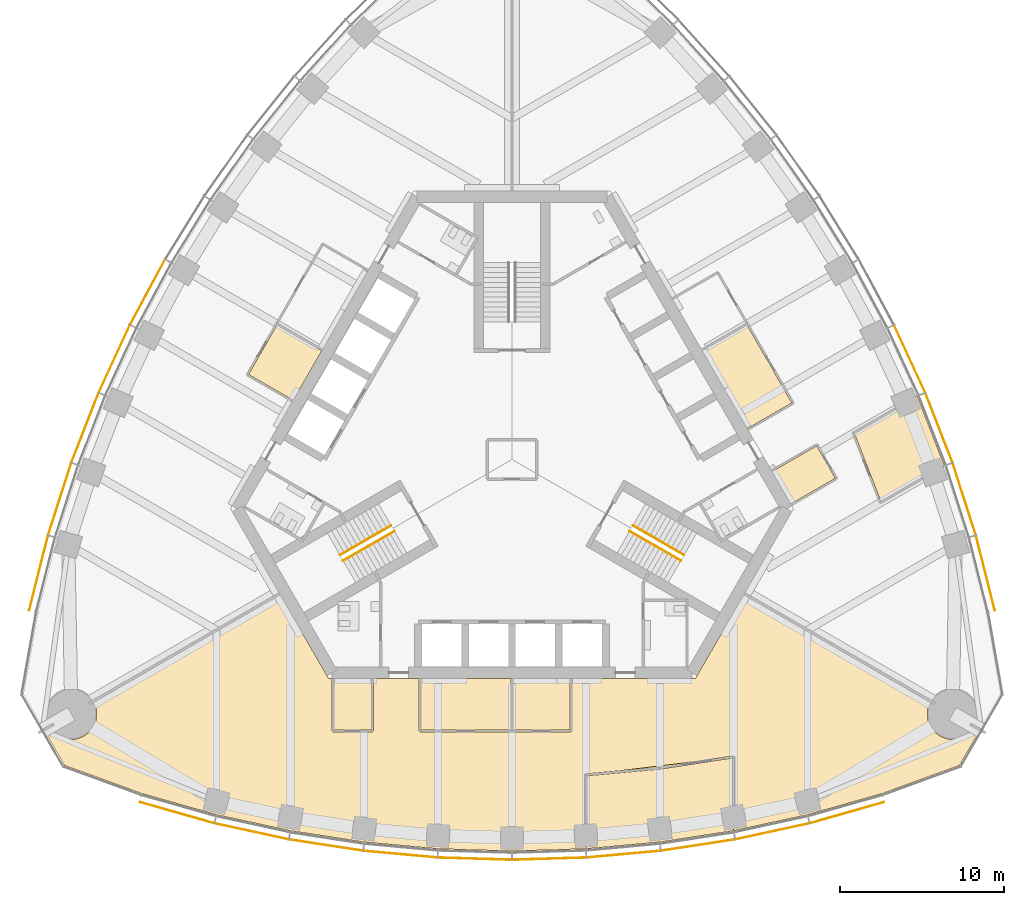
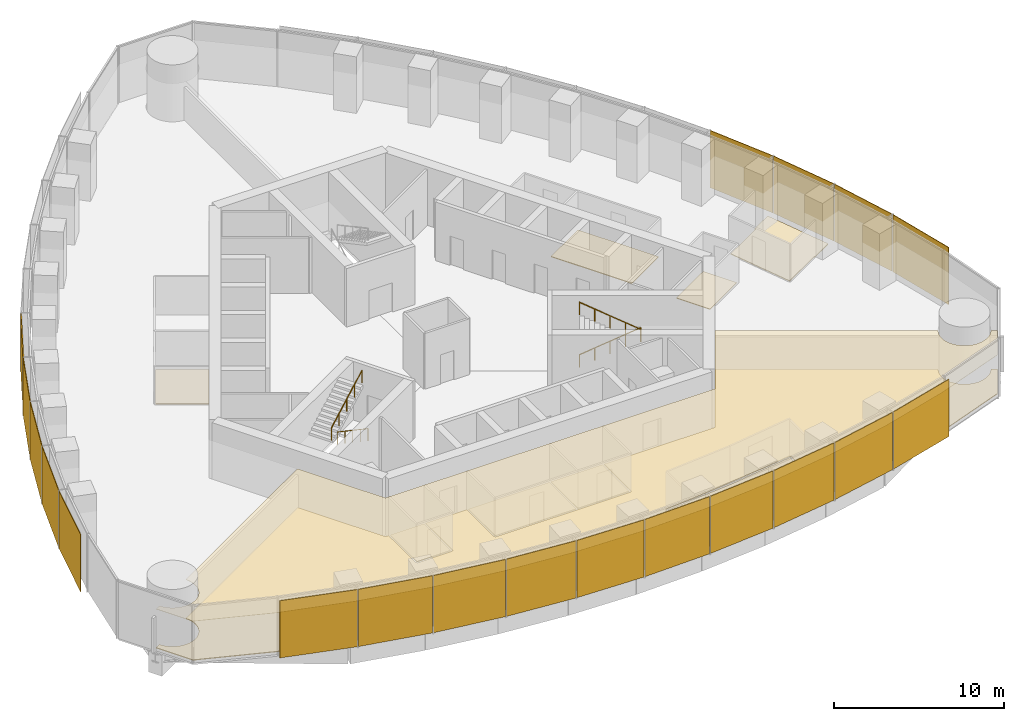
# One storey, part 11 of 14: 19 shading devices, 10 coverings, 4 railings.
"""IFC4 building model written with IfcOpenShell, lengths in metres."""

from ifc_helpers import new_model, si_unit, direction, frame, origin, origin_2d, place, context, subcontext, project, spatial, polyline, rectangle, circle, outline, extrude, material, layer, layer_set, type_object, element, save


model = new_model("IFC4")

# Units and contexts
model_context = context("Model", 3, precision=1e-05, world=origin(), true_north=direction((0.0, 1.0)))
body_context = subcontext(model_context, "Body", "Model", "MODEL_VIEW")
ifc_project = project(units=[si_unit("LENGTHUNIT", "METRE"), si_unit("AREAUNIT", "SQUARE_METRE"), si_unit("VOLUMEUNIT", "CUBIC_METRE"), si_unit("PLANEANGLEUNIT", "RADIAN"), si_unit("MASSUNIT", "GRAM", prefix="KILO")], contexts=[model_context])

# Site, building, storey
site_placement = place(None, origin())
site = spatial("IfcSite", under=ifc_project, at=site_placement, CompositionType="ELEMENT")
building_placement = place(site_placement, origin())
building = spatial("IfcBuilding", under=site, at=building_placement, Name="Trefoil Bronze Tower", CompositionType="ELEMENT")
storey_placement = place(building_placement, frame((0.0, 0.0, 280.5)))
storey = spatial("IfcBuildingStorey", under=building, at=storey_placement, Name="L64", CompositionType="ELEMENT", Elevation=280.5)

# Shading devices
ifc_material_1 = material(Name="Perforated bronze sheet", Category="bronze")
ifc_layer_1 = layer(ifc_material_1, 0.0400390625)
ifc_layer_set_1 = layer_set([ifc_layer_1], Name="Bronze solar screen panel")
shading_device_type = type_object("IfcShadingDeviceType", Name="Bronze solar screen panel", PredefinedType="SHUTTER", material=ifc_layer_set_1)
shading_device_1_placement = place(storey_placement, frame((-20.42138671875, -21.515625, 0.050048828125), z_axis=(0.0, 0.0, 1.0), x_axis=(0.962097746943, -0.272704831875, 0.0)))
element("IfcShadingDevice", 1, at=shading_device_1_placement, inside=storey, type_object=shading_device_type, Name="Solar screen CW-A L64 F1 bay 1", PredefinedType="SHUTTER", context=body_context, shape_type="SweptSolid", body=[
    extrude(rectangle(XDim=4.697509765625, YDim=0.0400390625, at=origin_2d()), origin(), (0.0, 0.0, 1.0), 4.10009765625),
])
shading_device_2_placement = place(storey_placement, frame((-15.864501953125, -22.65625, 0.050048828125), z_axis=(0.0, 0.0, 1.0), x_axis=(0.977303138829, -0.211845639168, 0.0)))
element("IfcShadingDevice", 2, at=shading_device_2_placement, inside=storey, type_object=shading_device_type, Name="Solar screen CW-A L64 F1 bay 2", PredefinedType="SHUTTER", context=body_context, shape_type="SweptSolid", body=[
    extrude(rectangle(XDim=4.574462890625, YDim=0.0400390625, at=origin_2d()), origin(), (0.0, 0.0, 1.0), 4.10009765625),
])
shading_device_3_placement = place(storey_placement, frame((-11.331787109375, -23.494384765625, 0.050048828125), z_axis=(0.0, 0.0, 1.0), x_axis=(0.988485337216, -0.151316681529, 0.0)))
element("IfcShadingDevice", 3, at=shading_device_3_placement, inside=storey, type_object=shading_device_type, Name="Solar screen CW-A L64 F1 bay 3", PredefinedType="SHUTTER", context=body_context, shape_type="SweptSolid", body=[
    extrude(rectangle(XDim=4.5224609375, YDim=0.0400390625, at=origin_2d()), origin(), (0.0, 0.0, 1.0), 4.10009765625),
])
shading_device_4_placement = place(storey_placement, frame((-6.799072265625, -24.048095703125, 0.050048828125), z_axis=(0.0, 0.0, 1.0), x_axis=(0.99587011625, -0.090789380212, 0.0)))
element("IfcShadingDevice", 4, at=shading_device_4_placement, inside=storey, type_object=shading_device_type, Name="Solar screen CW-A L64 F1 bay 4", PredefinedType="SHUTTER", context=body_context, shape_type="SweptSolid", body=[
    extrude(rectangle(XDim=4.48876953125, YDim=0.0400390625, at=origin_2d()), origin(), (0.0, 0.0, 1.0), 4.10009765625),
])
for number, where, z_axis, x_axis, name in (
    (5, (-2.266357421875, -24.3232421875, 0.050048828125), (0.0, 0.0, 1.0), (0.999541969785, -0.030263024264, 0.0), "Solar screen CW-A L64 F1 bay 5"),
    (6, (2.266357421875, -24.3232421875, 0.050048828125), (0.0, 0.0, 1.0), (0.999541969785, 0.030263024264, 0.0), "Solar screen CW-A L64 F1 bay 6"),
):
    element("IfcShadingDevice", number, at=place(storey_placement, frame(where, z_axis=z_axis, x_axis=x_axis)), inside=storey, type_object=shading_device_type, Name=name, PredefinedType="SHUTTER", context=body_context, shape_type="SweptSolid", body=[
        extrude(rectangle(XDim=4.47216796875, YDim=0.0400390625, at=origin_2d()), origin(), (0.0, 0.0, 1.0), 4.10009765625),
    ])
shading_device_5_placement = place(storey_placement, frame((6.799072265625, -24.048095703125, 0.050048828125), z_axis=(0.0, 0.0, 1.0), x_axis=(0.99587011625, 0.090789380212, 0.0)))
element("IfcShadingDevice", 7, at=shading_device_5_placement, inside=storey, type_object=shading_device_type, Name="Solar screen CW-A L64 F1 bay 7", PredefinedType="SHUTTER", context=body_context, shape_type="SweptSolid", body=[
    extrude(rectangle(XDim=4.48876953125, YDim=0.0400390625, at=origin_2d()), origin(), (0.0, 0.0, 1.0), 4.10009765625),
])
shading_device_6_placement = place(storey_placement, frame((11.331787109375, -23.494384765625, 0.050048828125), z_axis=(0.0, 0.0, 1.0), x_axis=(0.988485337216, 0.151316681529, 0.0)))
element("IfcShadingDevice", 8, at=shading_device_6_placement, inside=storey, type_object=shading_device_type, Name="Solar screen CW-A L64 F1 bay 8", PredefinedType="SHUTTER", context=body_context, shape_type="SweptSolid", body=[
    extrude(rectangle(XDim=4.5224609375, YDim=0.0400390625, at=origin_2d()), origin(), (0.0, 0.0, 1.0), 4.10009765625),
])
shading_device_7_placement = place(storey_placement, frame((15.864501953125, -22.65625, 0.050048828125), z_axis=(0.0, 0.0, 1.0), x_axis=(0.977303138829, 0.211845639168, 0.0)))
element("IfcShadingDevice", 9, at=shading_device_7_placement, inside=storey, type_object=shading_device_type, Name="Solar screen CW-A L64 F1 bay 9", PredefinedType="SHUTTER", context=body_context, shape_type="SweptSolid", body=[
    extrude(rectangle(XDim=4.574462890625, YDim=0.0400390625, at=origin_2d()), origin(), (0.0, 0.0, 1.0), 4.10009765625),
])
for number, where, z_axis, x_axis, name in (
    (10, (20.42138671875, -21.515625, 0.050048828125), (0.0, 0.0, 1.0), (0.962097746943, 0.272704831875, 0.0), "Solar screen CW-A L64 F1 bay 10"),
    (11, (28.843994140625, -6.927490234375, 0.050048828125), (0.0, 0.0, 1.0), (-0.244879561333, 0.969553505713, 0.0), "Solar screen CW-A L64 F2 bay 1"),
):
    element("IfcShadingDevice", number, at=place(storey_placement, frame(where, z_axis=z_axis, x_axis=x_axis)), inside=storey, type_object=shading_device_type, Name=name, PredefinedType="SHUTTER", context=body_context, shape_type="SweptSolid", body=[
        extrude(rectangle(XDim=4.697509765625, YDim=0.0400390625, at=origin_2d()), origin(), (0.0, 0.0, 1.0), 4.10009765625),
    ])
shading_device_8_placement = place(storey_placement, frame((27.55322265625, -2.410888671875, 0.050048828125), z_axis=(0.0, 0.0, 1.0), x_axis=(-0.305187864214, 0.952292165009, 0.0)))
element("IfcShadingDevice", 12, at=shading_device_8_placement, inside=storey, type_object=shading_device_type, Name="Solar screen CW-A L64 F2 bay 2", PredefinedType="SHUTTER", context=body_context, shape_type="SweptSolid", body=[
    extrude(rectangle(XDim=4.574462890625, YDim=0.0400390625, at=origin_2d()), origin(), (0.0, 0.0, 1.0), 4.10009765625),
])
shading_device_9_placement = place(storey_placement, frame((26.0126953125, 1.93359375, 0.050048828125), z_axis=(0.0, 0.0, 1.0), x_axis=(-0.363198578387, 0.931711754062, 0.0)))
element("IfcShadingDevice", 13, at=shading_device_9_placement, inside=storey, type_object=shading_device_type, Name="Solar screen CW-A L64 F2 bay 3", PredefinedType="SHUTTER", context=body_context, shape_type="SweptSolid", body=[
    extrude(rectangle(XDim=4.5224609375, YDim=0.0400390625, at=origin_2d()), origin(), (0.0, 0.0, 1.0), 4.10009765625),
])
shading_device_10_placement = place(storey_placement, frame((24.2255859375, 6.135986328125, 0.050048828125), z_axis=(0.0, 0.0, 1.0), x_axis=(-0.419309148468, 0.907843509649, 0.0)))
element("IfcShadingDevice", 14, at=shading_device_10_placement, inside=storey, type_object=shading_device_type, Name="Solar screen CW-A L64 F2 bay 4", PredefinedType="SHUTTER", context=body_context, shape_type="SweptSolid", body=[
    extrude(rectangle(XDim=4.48876953125, YDim=0.0400390625, at=origin_2d()), origin(), (0.0, 0.0, 1.0), 4.10009765625),
])
shading_device_11_placement = place(storey_placement, frame((-22.19775390625, 10.198974609375, 0.050048828125), z_axis=(0.0, 0.0, 1.0), x_axis=(-0.473562437085, -0.880760250115, 0.0)))
element("IfcShadingDevice", 15, at=shading_device_11_placement, inside=storey, type_object=shading_device_type, Name="Solar screen CW-A L64 F3 bay 6", PredefinedType="SHUTTER", context=body_context, shape_type="SweptSolid", body=[
    extrude(rectangle(XDim=4.47216796875, YDim=0.0400390625, at=origin_2d()), origin(), (0.0, 0.0, 1.0), 4.10009765625),
])
shading_device_12_placement = place(storey_placement, frame((-24.2255859375, 6.135986328125, 0.050048828125), z_axis=(0.0, 0.0, 1.0), x_axis=(-0.419309148468, -0.907843509649, 0.0)))
element("IfcShadingDevice", 16, at=shading_device_12_placement, inside=storey, type_object=shading_device_type, Name="Solar screen CW-A L64 F3 bay 7", PredefinedType="SHUTTER", context=body_context, shape_type="SweptSolid", body=[
    extrude(rectangle(XDim=4.48876953125, YDim=0.0400390625, at=origin_2d()), origin(), (0.0, 0.0, 1.0), 4.10009765625),
])
shading_device_13_placement = place(storey_placement, frame((-26.0126953125, 1.93359375, 0.050048828125), z_axis=(0.0, 0.0, 1.0), x_axis=(-0.363198578387, -0.931711754062, 0.0)))
element("IfcShadingDevice", 17, at=shading_device_13_placement, inside=storey, type_object=shading_device_type, Name="Solar screen CW-A L64 F3 bay 8", PredefinedType="SHUTTER", context=body_context, shape_type="SweptSolid", body=[
    extrude(rectangle(XDim=4.5224609375, YDim=0.0400390625, at=origin_2d()), origin(), (0.0, 0.0, 1.0), 4.10009765625),
])
shading_device_14_placement = place(storey_placement, frame((-27.55322265625, -2.410888671875, 0.050048828125), z_axis=(0.0, 0.0, 1.0), x_axis=(-0.305187864214, -0.952292165009, 0.0)))
element("IfcShadingDevice", 18, at=shading_device_14_placement, inside=storey, type_object=shading_device_type, Name="Solar screen CW-A L64 F3 bay 9", PredefinedType="SHUTTER", context=body_context, shape_type="SweptSolid", body=[
    extrude(rectangle(XDim=4.574462890625, YDim=0.0400390625, at=origin_2d()), origin(), (0.0, 0.0, 1.0), 4.10009765625),
])
shading_device_15_placement = place(storey_placement, frame((-28.843994140625, -6.927490234375, 0.050048828125), z_axis=(0.0, 0.0, 1.0), x_axis=(-0.244879561333, -0.969553505713, 0.0)))
element("IfcShadingDevice", 19, at=shading_device_15_placement, inside=storey, type_object=shading_device_type, Name="Solar screen CW-A L64 F3 bay 10", PredefinedType="SHUTTER", context=body_context, shape_type="SweptSolid", body=[
    extrude(rectangle(XDim=4.697509765625, YDim=0.0400390625, at=origin_2d()), origin(), (0.0, 0.0, 1.0), 4.10009765625),
])

# Railings
ifc_material_2 = material(Name="Steel handrail", Category="steel")
railing_type = type_object("IfcRailingType", Name="Handrail 900", PredefinedType="HANDRAIL", material=ifc_material_2)
railing_1_placement = place(storey_placement, frame((7.365966796875, -4.021728515625, 0.16162109375)))
element("IfcRailing", 20, at=railing_1_placement, inside=storey, type_object=railing_type, Name="Handrail ST1 flight 1 L64", PredefinedType="HANDRAIL", context=body_context, shape_type="SweptSolid", body=[
    extrude(circle(Radius=0.02392578125, at=origin_2d()), frame((0.0, 0.0, 0.8759765625), z_axis=(0.76250339821, -0.440245697338, 0.474101564745), x_axis=(0.500012057535, 0.866018442252, 0.0)), (0.0, 0.0, 1.0), 4.088623046875),
    extrude(circle(Radius=0.02099609375, at=origin_2d()), origin(), (0.0, 0.0, 1.0), 0.851806640625),
    extrude(circle(Radius=0.02099609375, at=origin_2d()), frame((0.779296875, -0.449951171875, 0.484619140625)), (0.0, 0.0, 1.0), 0.851806640625),
    extrude(circle(Radius=0.02099609375, at=origin_2d()), frame((1.558837890625, -0.89990234375, 0.96923828125)), (0.0, 0.0, 1.0), 0.851806640625),
    extrude(circle(Radius=0.02099609375, at=origin_2d()), frame((2.33837890625, -1.35009765625, 1.453857421875)), (0.0, 0.0, 1.0), 0.851806640625),
    extrude(circle(Radius=0.02099609375, at=origin_2d()), frame((3.11767578125, -1.800048828125, 1.9384765625)), (0.0, 0.0, 1.0), 0.851806640625),
])
railing_2_placement = place(storey_placement, frame((10.28369140625, -6.168212890625, 2.261474609375)))
element("IfcRailing", 21, at=railing_2_placement, inside=storey, type_object=railing_type, Name="Handrail ST1 flight 2 L64", PredefinedType="HANDRAIL", context=body_context, shape_type="SweptSolid", body=[
    extrude(circle(Radius=0.02392578125, at=origin_2d()), frame((0.0, 0.0, 0.8759765625), z_axis=(-0.76250339821, 0.440245697338, 0.474101564745), x_axis=(-0.500012057535, -0.866018442252, 0.0)), (0.0, 0.0, 1.0), 4.088623046875),
    extrude(circle(Radius=0.02099609375, at=origin_2d()), origin(), (0.0, 0.0, 1.0), 0.851806640625),
    extrude(circle(Radius=0.02099609375, at=origin_2d()), frame((-0.779296875, 0.449951171875, 0.484619140625)), (0.0, 0.0, 1.0), 0.851806640625),
    extrude(circle(Radius=0.02099609375, at=origin_2d()), frame((-1.558837890625, 0.89990234375, 0.96923828125)), (0.0, 0.0, 1.0), 0.851806640625),
    extrude(circle(Radius=0.02099609375, at=origin_2d()), frame((-2.33837890625, 1.35009765625, 1.453857421875)), (0.0, 0.0, 1.0), 0.851806640625),
    extrude(circle(Radius=0.02099609375, at=origin_2d()), frame((-3.11767578125, 1.800048828125, 1.9384765625)), (0.0, 0.0, 1.0), 0.851806640625),
])
railing_3_placement = place(storey_placement, frame((-7.166015625, -4.3681640625, 0.16162109375)))
element("IfcRailing", 22, at=railing_3_placement, inside=storey, type_object=railing_type, Name="Handrail ST3 flight 1 L64", PredefinedType="HANDRAIL", context=body_context, shape_type="SweptSolid", body=[
    extrude(circle(Radius=0.02392578125, at=origin_2d()), frame((0.0, 0.0, 0.8759765625), z_axis=(-0.76250339821, -0.440245697338, 0.474101564745), x_axis=(0.500012057535, -0.866018442252, 0.0)), (0.0, 0.0, 1.0), 4.088623046875),
    extrude(circle(Radius=0.02099609375, at=origin_2d()), origin(), (0.0, 0.0, 1.0), 0.851806640625),
    extrude(circle(Radius=0.02099609375, at=origin_2d()), frame((-0.779296875, -0.449951171875, 0.484619140625)), (0.0, 0.0, 1.0), 0.851806640625),
    extrude(circle(Radius=0.02099609375, at=origin_2d()), frame((-1.558837890625, -0.89990234375, 0.96923828125)), (0.0, 0.0, 1.0), 0.851806640625),
    extrude(circle(Radius=0.02099609375, at=origin_2d()), frame((-2.33837890625, -1.35009765625, 1.453857421875)), (0.0, 0.0, 1.0), 0.851806640625),
    extrude(circle(Radius=0.02099609375, at=origin_2d()), frame((-3.11767578125, -1.800048828125, 1.9384765625)), (0.0, 0.0, 1.0), 0.851806640625),
])
railing_4_placement = place(storey_placement, frame((-10.483642578125, -5.82177734375, 2.261474609375)))
element("IfcRailing", 23, at=railing_4_placement, inside=storey, type_object=railing_type, Name="Handrail ST3 flight 2 L64", PredefinedType="HANDRAIL", context=body_context, shape_type="SweptSolid", body=[
    extrude(circle(Radius=0.02392578125, at=origin_2d()), frame((0.0, 0.0, 0.8759765625), z_axis=(0.76250339821, 0.440245697338, 0.474101564745), x_axis=(-0.500012057535, 0.866018442252, 0.0)), (0.0, 0.0, 1.0), 4.088623046875),
    extrude(circle(Radius=0.02099609375, at=origin_2d()), origin(), (0.0, 0.0, 1.0), 0.851806640625),
    extrude(circle(Radius=0.02099609375, at=origin_2d()), frame((0.779296875, 0.449951171875, 0.484619140625)), (0.0, 0.0, 1.0), 0.851806640625),
    extrude(circle(Radius=0.02099609375, at=origin_2d()), frame((1.558837890625, 0.89990234375, 0.96923828125)), (0.0, 0.0, 1.0), 0.851806640625),
    extrude(circle(Radius=0.02099609375, at=origin_2d()), frame((2.33837890625, 1.35009765625, 1.453857421875)), (0.0, 0.0, 1.0), 0.851806640625),
    extrude(circle(Radius=0.02099609375, at=origin_2d()), frame((3.11767578125, 1.800048828125, 1.9384765625)), (0.0, 0.0, 1.0), 0.851806640625),
])

# Coverings
ifc_material_3 = material(Name="Acoustic ceiling panels", Category="mineral fibre")
ifc_layer_2 = layer(ifc_material_3, 0.02001953125)
ifc_layer_set_2 = layer_set([ifc_layer_2], Name="Office ceiling 20")
covering_type_1 = type_object("IfcCoveringType", Name="Office ceiling 20", PredefinedType="CEILING", material=ifc_layer_set_2)
covering_1_placement = place(storey_placement, frame((0.0, 0.0, 2.89990234375)))
element("IfcCovering", 24, at=covering_1_placement, inside=storey, type_object=covering_type_1, Name="Ceiling L64 Open-plan office F1", PredefinedType="CEILING", context=body_context, shape_type="SweptSolid", body=[
    extrude(outline(polyline([(-28.135498046875, -16.361083984375), (-28.091796875, -16.42333984375), (-28.044921875, -16.4833984375), (-27.995361328125, -16.541015625), (-27.94287109375, -16.595947265625), (-27.8876953125, -16.6484375), (-27.830078125, -16.6982421875), (-27.77001953125, -16.7451171875), (-27.7080078125, -16.788818359375), (-27.6435546875, -16.82958984375), (-27.577392578125, -16.866943359375), (-27.509521484375, -16.901123046875), (-27.43994140625, -16.931884765625), (-27.368896484375, -16.95947265625), (-27.296630859375, -16.9833984375), (-27.223388671875, -17.00341796875), (-27.149169921875, -17.020263671875), (-27.07421875, -17.033203125), (-26.998779296875, -17.04248046875), (-26.9228515625, -17.048095703125), (-26.8466796875, -17.050048828125), (-26.770751953125, -17.048095703125), (-26.69482421875, -17.04248046875), (-26.619384765625, -17.033203125), (-26.54443359375, -17.020263671875), (-26.47021484375, -17.00341796875), (-26.396728515625, -16.9833984375), (-26.32470703125, -16.95947265625), (-26.253662109375, -16.931884765625), (-26.18408203125, -16.901123046875), (-26.1162109375, -16.866943359375), (-26.0498046875, -16.82958984375), (-25.985595703125, -16.788818359375), (-25.923583984375, -16.7451171875), (-25.863525390625, -16.6982421875), (-25.805908203125, -16.6484375), (-25.750732421875, -16.595947265625), (-25.6982421875, -16.541015625), (-25.648681640625, -16.4833984375), (-25.601806640625, -16.42333984375), (-25.55810546875, -16.361083984375), (-25.517333984375, -16.296875), (-25.479736328125, -16.230712890625), (-25.445556640625, -16.16259765625), (-25.414794921875, -16.09326171875), (-25.387451171875, -16.022216796875), (-25.363525390625, -15.949951171875), (-25.34326171875, -15.876708984375), (-25.32666015625, -15.802490234375), (-25.313720703125, -15.727294921875), (-25.30419921875, -15.65185546875), (-25.298583984375, -15.576171875), (-25.296875, -15.5), (-25.298583984375, -15.423828125), (-25.30419921875, -15.34814453125), (-25.313720703125, -15.272705078125), (-25.32666015625, -15.197509765625), (-25.34326171875, -15.123291015625), (-25.363525390625, -15.050048828125), (-25.387451171875, -14.977783203125), (-25.414794921875, -14.90673828125), (-25.445556640625, -14.83740234375), (-25.479736328125, -14.769287109375), (-25.49951171875, -14.73486328125), (-14.156494140625, -8.180419921875), (-11.171630859375, -13.35009765625), (11.171630859375, -13.35009765625), (14.156494140625, -8.180419921875), (25.49951171875, -14.73486328125), (25.479736328125, -14.769287109375), (25.445556640625, -14.83740234375), (25.414794921875, -14.90673828125), (25.387451171875, -14.977783203125), (25.363525390625, -15.050048828125), (25.34326171875, -15.123291015625), (25.32666015625, -15.197509765625), (25.313720703125, -15.272705078125), (25.30419921875, -15.34814453125), (25.298583984375, -15.423828125), (25.296875, -15.5), (25.298583984375, -15.576171875), (25.30419921875, -15.65185546875), (25.313720703125, -15.727294921875), (25.32666015625, -15.802490234375), (25.34326171875, -15.876708984375), (25.363525390625, -15.949951171875), (25.387451171875, -16.022216796875), (25.414794921875, -16.09326171875), (25.445556640625, -16.16259765625), (25.479736328125, -16.230712890625), (25.517333984375, -16.296875), (25.55810546875, -16.361083984375), (25.601806640625, -16.42333984375), (25.648681640625, -16.4833984375), (25.6982421875, -16.541015625), (25.750732421875, -16.595947265625), (25.805908203125, -16.6484375), (25.863525390625, -16.6982421875), (25.923583984375, -16.7451171875), (25.985595703125, -16.788818359375), (26.0498046875, -16.82958984375), (26.1162109375, -16.866943359375), (26.18408203125, -16.901123046875), (26.253662109375, -16.931884765625), (26.32470703125, -16.95947265625), (26.396728515625, -16.9833984375), (26.47021484375, -17.00341796875), (26.54443359375, -17.020263671875), (26.619384765625, -17.033203125), (26.69482421875, -17.04248046875), (26.770751953125, -17.048095703125), (26.8466796875, -17.050048828125), (26.9228515625, -17.048095703125), (26.998779296875, -17.04248046875), (27.07421875, -17.033203125), (27.149169921875, -17.020263671875), (27.223388671875, -17.00341796875), (27.296630859375, -16.9833984375), (27.368896484375, -16.95947265625), (27.43994140625, -16.931884765625), (27.509521484375, -16.901123046875), (27.577392578125, -16.866943359375), (27.6435546875, -16.82958984375), (27.7080078125, -16.788818359375), (27.77001953125, -16.7451171875), (27.830078125, -16.6982421875), (27.8876953125, -16.6484375), (27.94287109375, -16.595947265625), (27.995361328125, -16.541015625), (28.044921875, -16.4833984375), (28.091796875, -16.42333984375), (28.135498046875, -16.361083984375), (28.182861328125, -16.285400390625), (28.510009765625, -16.474609375), (27.26220703125, -18.635986328125), (22.54833984375, -20.3515625), (18.0, -21.640869140625), (13.5, -22.6162109375), (9.0, -23.30517578125), (4.5, -23.71533203125), (0.0, -23.8515625), (-4.5, -23.71533203125), (-9.0, -23.30517578125), (-13.5, -22.6162109375), (-18.0, -21.640869140625), (-22.54833984375, -20.3515625), (-27.26220703125, -18.635986328125), (-28.510009765625, -16.474609375), (-28.182861328125, -16.285400390625), (-28.135498046875, -16.361083984375)])), origin(), (0.0, 0.0, 1.0), 0.02001953125),
])
ifc_material_4 = material(Name="Raised access floor panels", Category="steel")
ifc_layer_3 = layer(ifc_material_4, 0.050048828125)
ifc_layer_set_3 = layer_set([ifc_layer_3], Name="Raised access floor 150")
covering_type_2 = type_object("IfcCoveringType", Name="Raised access floor 150", PredefinedType="FLOORING", material=ifc_layer_set_3)
covering_2_placement = place(storey_placement, frame((0.0, 0.0, 0.10009765625)))
element("IfcCovering", 25, at=covering_2_placement, inside=storey, type_object=covering_type_2, Name="Raised floor L64 Meeting room F1", PredefinedType="FLOORING", context=body_context, shape_type="SweptSolid", body=[
    extrude(outline(polyline([(-0.06005859375, -13.35009765625), (-0.06005859375, -16.489990234375), (-5.5400390625, -16.489990234375), (-5.5400390625, -13.35009765625), (-0.06005859375, -13.35009765625)])), origin(), (0.0, 0.0, 1.0), 0.0498046875),
])
covering_3_placement = place(storey_placement, frame((0.0, 0.0, 0.10009765625)))
element("IfcCovering", 26, at=covering_3_placement, inside=storey, type_object=covering_type_2, Name="Raised floor L64 Meeting room F1", PredefinedType="FLOORING", context=body_context, shape_type="SweptSolid", body=[
    extrude(outline(polyline([(3.5400390625, -13.35009765625), (3.5400390625, -16.489990234375), (0.06005859375, -16.489990234375), (0.06005859375, -13.35009765625), (3.5400390625, -13.35009765625)])), origin(), (0.0, 0.0, 1.0), 0.0498046875),
])
covering_4_placement = place(storey_placement, frame((0.0, 0.0, 0.10009765625)))
element("IfcCovering", 27, at=covering_4_placement, inside=storey, type_object=covering_type_2, Name="Raised floor L64 Comms room F1", PredefinedType="FLOORING", context=body_context, shape_type="SweptSolid", body=[
    extrude(outline(polyline([(-8.56005859375, -13.35009765625), (-8.56005859375, -16.489990234375), (-10.840087890625, -16.489990234375), (-10.840087890625, -13.35009765625), (-8.56005859375, -13.35009765625)])), origin(), (0.0, 0.0, 1.0), 0.0498046875),
])
covering_5_placement = place(storey_placement, frame((0.0, 0.0, 0.10009765625)))
element("IfcCovering", 28, at=covering_5_placement, inside=storey, type_object=covering_type_2, Name="Raised floor L64 Kitchen and breakout F1", PredefinedType="FLOORING", context=body_context, shape_type="SweptSolid", body=[
    extrude(outline(polyline([(9.0, -23.30517578125), (4.5, -23.71533203125), (4.5, -22.1826171875), (4.56005859375, -22.1826171875), (4.56005859375, -19.27001953125), (9.00537109375, -18.864990234375), (9.0, -18.80517578125), (9.009033203125, -18.864501953125), (13.43994140625, -18.18603515625), (13.43994140625, -21.060546875), (13.5, -21.060546875), (13.5, -22.6162109375), (9.0, -23.30517578125)])), origin(), (0.0, 0.0, 1.0), 0.0498046875),
])
covering_6_placement = place(storey_placement, frame((0.0, 0.0, 0.10009765625)))
element("IfcCovering", 29, at=covering_6_placement, inside=storey, type_object=covering_type_2, Name="Raised floor L64 Open-plan office F1", PredefinedType="FLOORING", context=body_context, shape_type="SweptSolid", body=[
    extrude(outline(polyline([(-11.171630859375, -13.35009765625), (-10.9599609375, -13.35009765625), (-10.9599609375, -16.550048828125), (-10.89990234375, -16.550048828125), (-10.89990234375, -16.610107421875), (-8.5, -16.610107421875), (-8.5, -16.550048828125), (-8.43994140625, -16.550048828125), (-8.43994140625, -13.35009765625), (-5.659912109375, -13.35009765625), (-5.659912109375, -16.550048828125), (-5.60009765625, -16.550048828125), (-5.60009765625, -16.610107421875), (3.60009765625, -16.610107421875), (3.60009765625, -16.550048828125), (3.659912109375, -16.550048828125), (3.659912109375, -13.35009765625), (11.171630859375, -13.35009765625), (14.156494140625, -8.180419921875), (25.49951171875, -14.73486328125), (25.479736328125, -14.769287109375), (25.445556640625, -14.83740234375), (25.414794921875, -14.90673828125), (25.387451171875, -14.977783203125), (25.363525390625, -15.050048828125), (25.34326171875, -15.123291015625), (25.32666015625, -15.197509765625), (25.313720703125, -15.272705078125), (25.30419921875, -15.34814453125), (25.298583984375, -15.423828125), (25.296875, -15.5), (25.298583984375, -15.576171875), (25.30419921875, -15.65185546875), (25.313720703125, -15.727294921875), (25.32666015625, -15.802490234375), (25.34326171875, -15.876708984375), (25.363525390625, -15.949951171875), (25.387451171875, -16.022216796875), (25.414794921875, -16.09326171875), (25.445556640625, -16.16259765625), (25.479736328125, -16.230712890625), (25.517333984375, -16.296875), (25.55810546875, -16.361083984375), (25.601806640625, -16.42333984375), (25.648681640625, -16.4833984375), (25.6982421875, -16.541015625), (25.750732421875, -16.595947265625), (25.805908203125, -16.6484375), (25.863525390625, -16.6982421875), (25.923583984375, -16.7451171875), (25.985595703125, -16.788818359375), (26.0498046875, -16.82958984375), (26.1162109375, -16.866943359375), (26.18408203125, -16.901123046875), (26.253662109375, -16.931884765625), (26.32470703125, -16.95947265625), (26.396728515625, -16.9833984375), (26.47021484375, -17.00341796875), (26.54443359375, -17.020263671875), (26.619384765625, -17.033203125), (26.69482421875, -17.04248046875), (26.770751953125, -17.048095703125), (26.8466796875, -17.050048828125), (26.9228515625, -17.048095703125), (26.998779296875, -17.04248046875), (27.07421875, -17.033203125), (27.149169921875, -17.020263671875), (27.223388671875, -17.00341796875), (27.296630859375, -16.9833984375), (27.368896484375, -16.95947265625), (27.43994140625, -16.931884765625), (27.509521484375, -16.901123046875), (27.577392578125, -16.866943359375), (27.6435546875, -16.82958984375), (27.7080078125, -16.788818359375), (27.77001953125, -16.7451171875), (27.830078125, -16.6982421875), (27.8876953125, -16.6484375), (27.94287109375, -16.595947265625), (27.995361328125, -16.541015625), (28.044921875, -16.4833984375), (28.091796875, -16.42333984375), (28.135498046875, -16.361083984375), (28.182861328125, -16.285400390625), (28.510009765625, -16.474609375), (27.26220703125, -18.635986328125), (22.54833984375, -20.3515625), (18.0, -21.640869140625), (13.5, -22.6162109375), (13.5, -21.060546875), (13.56005859375, -21.060546875), (13.56005859375, -18.1162109375), (13.5, -18.1162109375), (13.490966796875, -18.056884765625), (11.539306640625, -18.355712890625), (6.4462890625, -18.977783203125), (4.49462890625, -19.155517578125), (4.5, -19.21533203125), (4.43994140625, -19.21533203125), (4.43994140625, -22.1826171875), (4.5, -22.1826171875), (4.5, -23.71533203125), (0.0, -23.8515625), (-4.5, -23.71533203125), (-9.0, -23.30517578125), (-13.5, -22.6162109375), (-18.0, -21.640869140625), (-22.54833984375, -20.3515625), (-27.26220703125, -18.635986328125), (-28.510009765625, -16.474609375), (-28.182861328125, -16.285400390625), (-28.135498046875, -16.361083984375), (-28.091796875, -16.42333984375), (-28.044921875, -16.4833984375), (-27.995361328125, -16.541015625), (-27.94287109375, -16.595947265625), (-27.8876953125, -16.6484375), (-27.830078125, -16.6982421875), (-27.77001953125, -16.7451171875), (-27.7080078125, -16.788818359375), (-27.6435546875, -16.82958984375), (-27.577392578125, -16.866943359375), (-27.509521484375, -16.901123046875), (-27.43994140625, -16.931884765625), (-27.368896484375, -16.95947265625), (-27.296630859375, -16.9833984375), (-27.223388671875, -17.00341796875), (-27.149169921875, -17.020263671875), (-27.07421875, -17.033203125), (-26.998779296875, -17.04248046875), (-26.9228515625, -17.048095703125), (-26.8466796875, -17.050048828125), (-26.770751953125, -17.048095703125), (-26.69482421875, -17.04248046875), (-26.619384765625, -17.033203125), (-26.54443359375, -17.020263671875), (-26.47021484375, -17.00341796875), (-26.396728515625, -16.9833984375), (-26.32470703125, -16.95947265625), (-26.253662109375, -16.931884765625), (-26.18408203125, -16.901123046875), (-26.1162109375, -16.866943359375), (-26.0498046875, -16.82958984375), (-25.985595703125, -16.788818359375), (-25.923583984375, -16.7451171875), (-25.863525390625, -16.6982421875), (-25.805908203125, -16.6484375), (-25.750732421875, -16.595947265625), (-25.6982421875, -16.541015625), (-25.648681640625, -16.4833984375), (-25.601806640625, -16.42333984375), (-25.55810546875, -16.361083984375), (-25.517333984375, -16.296875), (-25.479736328125, -16.230712890625), (-25.445556640625, -16.16259765625), (-25.414794921875, -16.09326171875), (-25.387451171875, -16.022216796875), (-25.363525390625, -15.949951171875), (-25.34326171875, -15.876708984375), (-25.32666015625, -15.802490234375), (-25.313720703125, -15.727294921875), (-25.30419921875, -15.65185546875), (-25.298583984375, -15.576171875), (-25.296875, -15.5), (-25.298583984375, -15.423828125), (-25.30419921875, -15.34814453125), (-25.313720703125, -15.272705078125), (-25.32666015625, -15.197509765625), (-25.34326171875, -15.123291015625), (-25.363525390625, -15.050048828125), (-25.387451171875, -14.977783203125), (-25.414794921875, -14.90673828125), (-25.445556640625, -14.83740234375), (-25.479736328125, -14.769287109375), (-25.49951171875, -14.73486328125), (-14.156494140625, -8.180419921875), (-11.171630859375, -13.35009765625)])), origin(), (0.0, 0.0, 1.0), 0.0498046875),
])
covering_7_placement = place(storey_placement, frame((0.0, 0.0, 0.10009765625)))
element("IfcCovering", 30, at=covering_7_placement, inside=storey, type_object=covering_type_2, Name="Raised floor L64 Meeting room F2", PredefinedType="FLOORING", context=body_context, shape_type="SweptSolid", body=[
    extrude(outline(polyline([(11.59130859375, 6.623046875), (14.310791015625, 8.193115234375), (17.05078125, 3.447265625), (14.331298828125, 1.877197265625), (11.59130859375, 6.623046875)])), origin(), (0.0, 0.0, 1.0), 0.0498046875),
])
covering_8_placement = place(storey_placement, frame((0.0, 0.0, 0.10009765625)))
element("IfcCovering", 31, at=covering_8_placement, inside=storey, type_object=covering_type_2, Name="Raised floor L64 Comms room F2", PredefinedType="FLOORING", context=body_context, shape_type="SweptSolid", body=[
    extrude(outline(polyline([(15.84130859375, -0.73828125), (18.560791015625, 0.831787109375), (19.70068359375, -1.142578125), (16.9814453125, -2.712646484375), (15.84130859375, -0.73828125)])), origin(), (0.0, 0.0, 1.0), 0.0498046875),
])
covering_9_placement = place(storey_placement, frame((0.0, 0.0, 0.10009765625)))
element("IfcCovering", 32, at=covering_9_placement, inside=storey, type_object=covering_type_2, Name="Raised floor L64 Meeting room F2", PredefinedType="FLOORING", context=body_context, shape_type="SweptSolid", body=[
    extrude(outline(polyline([(26.336181640625, -0.38330078125), (24.989013671875, -1.1611328125), (24.958984375, -1.109130859375), (22.4697265625, -2.54638671875), (20.8603515625, 1.58203125), (23.3779296875, 3.03564453125), (23.347900390625, 3.087646484375), (24.682861328125, 3.8583984375), (26.336181640625, -0.38330078125)])), origin(), (0.0, 0.0, 1.0), 0.0498046875),
])
covering_10_placement = place(storey_placement, frame((0.0, 0.0, 0.10009765625)))
element("IfcCovering", 33, at=covering_10_placement, inside=storey, type_object=covering_type_2, Name="Raised floor L64 Meeting room F3", PredefinedType="FLOORING", context=body_context, shape_type="SweptSolid", body=[
    extrude(outline(polyline([(-13.331298828125, 3.609375), (-16.05078125, 5.17919921875), (-14.310791015625, 8.193115234375), (-11.59130859375, 6.623046875), (-13.331298828125, 3.609375)])), origin(), (0.0, 0.0, 1.0), 0.0498046875),
])

save(model, "model.ifc")
